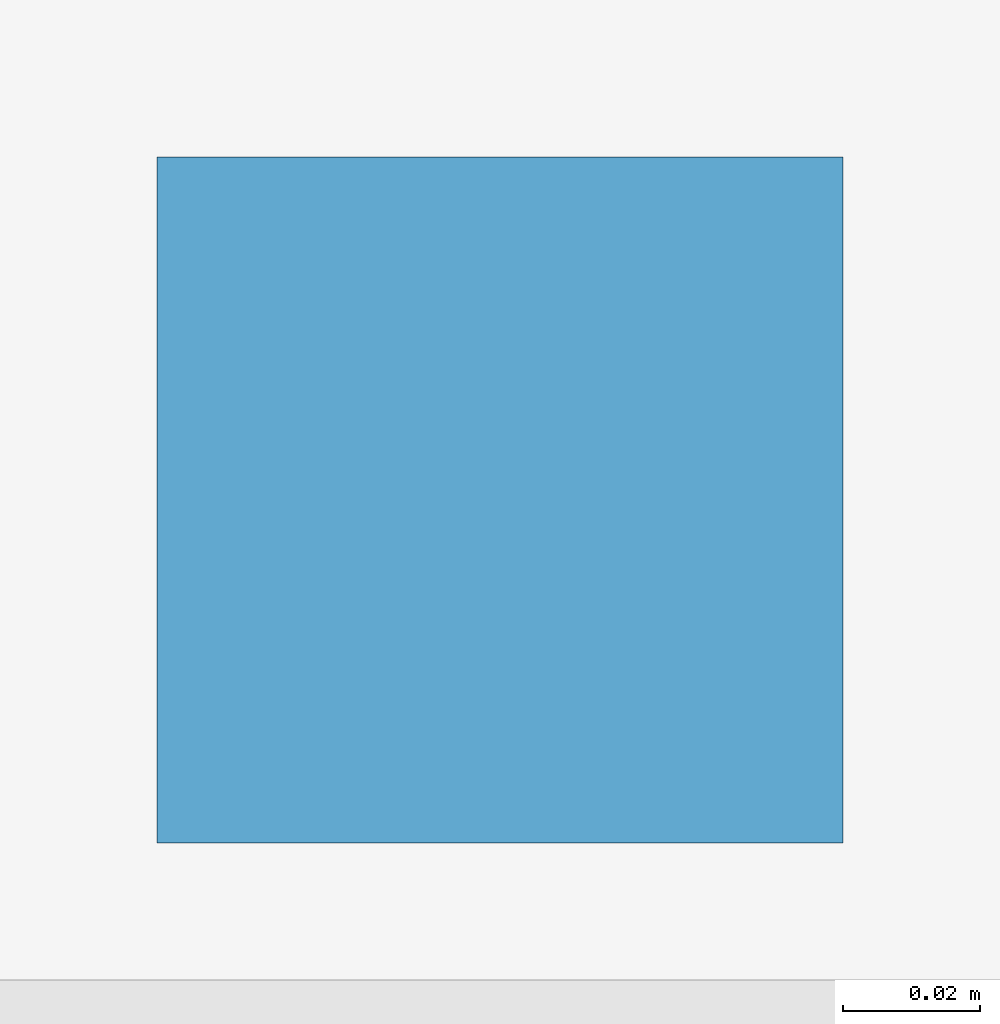
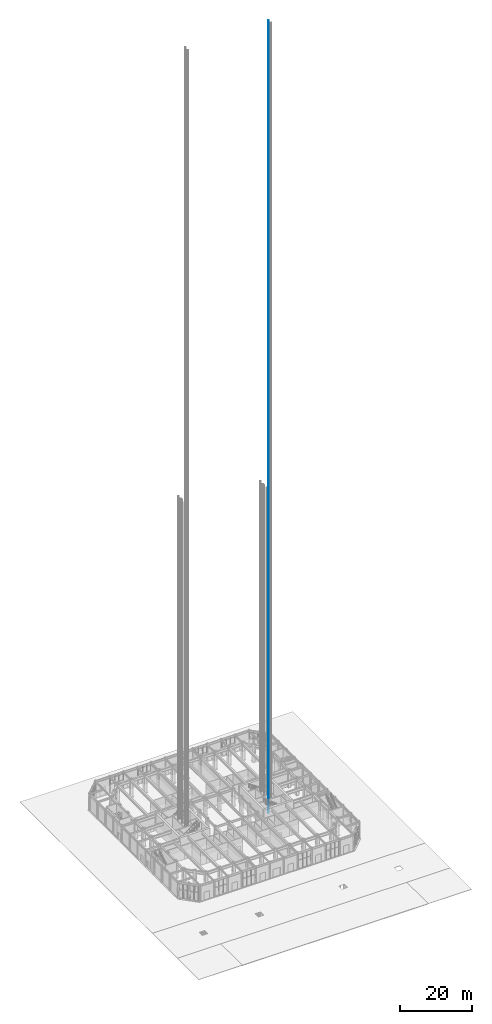
# One storey, part 31 of 39: 1 discrete accessory.
"""IFC4 building model written with IfcOpenShell, lengths in metres."""

import ifcopenshell
import ifcopenshell.guid

model = None  # the IFC model being written
_history = None  # IfcOwnerHistory: only IFC2X3 demands one
_inside = {}  # id of a spatial element -> (the spatial element, [elements in it])
_under = {}  # id of a project, library or spatial element -> (it, [spatial elements below it])
_declared = {}  # id of a project -> (the project, [libraries it declares])
_typed = {}  # id of a type object -> (the type object, [elements of that type])
_made_of = {}  # id of a material, layer set ... -> (it, [elements and type objects made of it])


def new_model(schema):
    """Start an empty IFC model of exactly this schema.

    Asked for "IFC4X3", IfcOpenShell would pick the latest addendum, in which some entities
    have other attributes; the version numbers below select the first issue.
    IFC2X3 requires an IfcOwnerHistory on every rooted entity: one is made here for all.
    """
    global model, _history
    if schema == "IFC4X3":
        model = ifcopenshell.file(schema_version=(4, 3, 0, 0))
    else:
        model = ifcopenshell.file(schema=schema)
    _inside.clear()
    _under.clear()
    _declared.clear()
    _typed.clear()
    _made_of.clear()
    _history = None
    if model.schema == "IFC2X3":
        org = make("IfcOrganization", Name="unknown")
        user = make(
            "IfcPersonAndOrganization",
            ThePerson=make("IfcPerson", FamilyName="unknown"),
            TheOrganization=org,
        )
        app = make(
            "IfcApplication",
            ApplicationDeveloper=org,
            Version="unknown",
            ApplicationFullName="unknown",
            ApplicationIdentifier="unknown",
        )
        _history = make(
            "IfcOwnerHistory",
            OwningUser=user,
            OwningApplication=app,
            ChangeAction="ADDED",
            CreationDate=0,
        )
    return model


def make(cls, **values):
    """One entity of the class cls with the attributes given. An attribute that is None is left unset."""
    return model.create_entity(
        cls, **{name: value for name, value in values.items() if value is not None}
    )


def rooted(cls, **values):
    """An entity with a GlobalId (a new one), such as an element, a storey or a relation."""
    return make(cls, GlobalId=ifcopenshell.guid.new(), OwnerHistory=_history, **values)


def si_unit(unit_type, name, prefix=None):
    """IfcSIUnit, for example si_unit("LENGTHUNIT", "METRE", prefix="MILLI")."""
    return make("IfcSIUnit", UnitType=unit_type, Prefix=prefix, Name=name)


def assignment(units):
    """IfcUnitAssignment: the units of a project."""
    return None if units is None else make("IfcUnitAssignment", Units=units)


def point(xyz):
    """IfcCartesianPoint."""
    return None if xyz is None else make("IfcCartesianPoint", Coordinates=xyz)


def direction(xyz):
    """IfcDirection."""
    return None if xyz is None else make("IfcDirection", DirectionRatios=xyz)


def frame(location, z_axis=None, x_axis=None):
    """IfcAxis2Placement3D, a coordinate frame: its origin and axes. An axis left out is left unset."""
    return make(
        "IfcAxis2Placement3D",
        Location=point(location),
        Axis=direction(z_axis),
        RefDirection=direction(x_axis),
    )


def origin():
    """The frame at (0, 0, 0) with its axes left unset."""
    return frame((0.0, 0.0, 0.0))


def place(relative_to, where):
    """IfcLocalPlacement: puts the frame where relative to a parent placement (None: the world)."""
    return make(
        "IfcLocalPlacement", PlacementRelTo=relative_to, RelativePlacement=where
    )


def context(
    kind, dimensions, precision=None, world=None, true_north=None, identifier=None
):
    """IfcGeometricRepresentationContext, for example the 3D "Model" context."""
    return make(
        "IfcGeometricRepresentationContext",
        ContextIdentifier=identifier,
        ContextType=kind,
        CoordinateSpaceDimension=dimensions,
        Precision=precision,
        WorldCoordinateSystem=world,
        TrueNorth=true_north,
    )


def subcontext(parent, identifier, kind, view, scale=None):
    """IfcGeometricRepresentationSubContext, for example "Body" below "Model"."""
    return make(
        "IfcGeometricRepresentationSubContext",
        ContextIdentifier=identifier,
        ContextType=kind,
        ParentContext=parent,
        TargetScale=scale,
        TargetView=view,
    )


def project(units=None, contexts=None):
    """IfcProject with its units and contexts."""
    return rooted(
        "IfcProject",
        Name="project",
        RepresentationContexts=contexts,
        UnitsInContext=assignment(units),
    )


def spatial(cls, under=None, at=None, **own):
    """A site, building, storey or space (cls), placed at a placement, below another one or the project."""
    s = rooted(cls, ObjectPlacement=at, **own)
    if under is not None:
        _under.setdefault(under.id(), (under, []))[1].append(s)
    return s


def polyline(points):
    """IfcPolyline through the points."""
    return make("IfcPolyline", Points=[point(p) for p in points])


def outline(outer, holes=None, kind="AREA"):
    """IfcArbitraryClosedProfileDef: a profile drawn as a closed curve; with holes, ...WithVoids."""
    if holes is None:
        return make("IfcArbitraryClosedProfileDef", ProfileType=kind, OuterCurve=outer)
    return make(
        "IfcArbitraryProfileDefWithVoids",
        ProfileType=kind,
        OuterCurve=outer,
        InnerCurves=holes,
    )


def extrude(swept, where, along, depth):
    """IfcExtrudedAreaSolid: the profile swept, set in the frame where, extruded along a direction by depth."""
    return make(
        "IfcExtrudedAreaSolid",
        SweptArea=swept,
        Position=where,
        ExtrudedDirection=direction(along),
        Depth=depth,
    )


def shape(context_of_items, identifier, shape_type, items):
    """IfcShapeRepresentation: the items that make up one representation, for example the "Body"."""
    return make(
        "IfcShapeRepresentation",
        ContextOfItems=context_of_items,
        RepresentationIdentifier=identifier,
        RepresentationType=shape_type,
        Items=items,
    )


def made_of(thing, what):
    """Note that an element or type object is made of a material, layer set ...; save() writes the relation."""
    if what is not None:
        _made_of.setdefault(what.id(), (what, []))[1].append(thing)
    return thing


def element(
    cls,
    number,
    at=None,
    inside=None,
    cuts=None,
    type_object=None,
    material=None,
    context=None,
    identifier="Body",
    shape_type=None,
    held_by="IfcProductDefinitionShape",
    body=None,
    shapes=None,
    **own,
):
    """One element of the class cls, such as IfcWall. Its Tag is "e" and its number.

    at: its placement. inside: the storey or other place that contains it. cuts: it is an
    opening in that element (IfcRelVoidsElement). A single representation is given by context,
    identifier, shape_type and body (its items); several are given by shapes. held_by: the class
    of the entity that holds the representations. save() writes the other relations.
    """
    e = rooted(cls, Tag="e%d" % number, ObjectPlacement=at, **own)
    if body is not None:
        shapes = [shape(context, identifier, shape_type, body)]
    if shapes is not None:
        e.Representation = make(held_by, Representations=shapes)
    if inside is not None:
        _inside.setdefault(inside.id(), (inside, []))[1].append(e)
    if cuts is not None:
        rooted(
            "IfcRelVoidsElement", RelatingBuildingElement=cuts, RelatedOpeningElement=e
        )
    if type_object is not None:
        _typed.setdefault(type_object.id(), (type_object, []))[1].append(e)
    return made_of(e, material)


def aggregate(whole, parts):
    """IfcRelAggregates: a whole, such as a stair, and the parts it consists of."""
    return rooted("IfcRelAggregates", RelatingObject=whole, RelatedObjects=parts)


def save(model, path):
    """Write the relations noted so far, then the file.

    IfcRelAggregates (storeys below a building ...), IfcRelContainedInSpatialStructure (elements
    in a storey), IfcRelDefinesByType, IfcRelAssociatesMaterial and IfcRelDeclares: one each for
    every whole, place, type object, material and project.
    """
    for whole, parts in _under.values():
        aggregate(whole, parts)
    for where, things in _inside.values():
        rooted(
            "IfcRelContainedInSpatialStructure",
            RelatedElements=things,
            RelatingStructure=where,
        )
    for kind, things in _typed.values():
        rooted("IfcRelDefinesByType", RelatedObjects=things, RelatingType=kind)
    for what, things in _made_of.values():
        rooted("IfcRelAssociatesMaterial", RelatedObjects=things, RelatingMaterial=what)
    for by, libraries in _declared.values():
        rooted("IfcRelDeclares", RelatingContext=by, RelatedDefinitions=libraries)
    model.write(path)


model = new_model("IFC4")

# Units and contexts
model_context = context("Model", 3, precision=1e-05, world=origin(), true_north=direction((0.0, 1.0)))
body_context = subcontext(model_context, "Body", "Model", "MODEL_VIEW")
ifc_project = project(units=[si_unit("LENGTHUNIT", "METRE"), si_unit("AREAUNIT", "SQUARE_METRE"), si_unit("VOLUMEUNIT", "CUBIC_METRE"), si_unit("PLANEANGLEUNIT", "RADIAN"), si_unit("MASSUNIT", "GRAM", prefix="KILO")], contexts=[model_context])

# Site, building, storey
site_placement = place(None, origin())
site = spatial("IfcSite", under=ifc_project, at=site_placement, CompositionType="ELEMENT")
building_placement = place(site_placement, origin())
building = spatial("IfcBuilding", under=site, at=building_placement, Name="Msasa Ring Tower", CompositionType="ELEMENT")
storey_placement = place(building_placement, origin())
storey = spatial("IfcBuildingStorey", under=building, at=storey_placement, Name="L00", CompositionType="ELEMENT", Elevation=0.0)

# Discrete accessory
discrete_accessory_placement = place(storey_placement, frame((0.0, 0.0, 0.050048828125)))
element("IfcDiscreteAccessory", 1, at=discrete_accessory_placement, inside=storey, Name="Lift guide rail 2 FL-E", ObjectType="LIFT GUIDE RAIL", PredefinedType="USERDEFINED", context=body_context, shape_type="SweptSolid", body=[
    extrude(outline(polyline([(13.324951171875, -1.455078125), (13.425048828125, -1.455078125), (13.425048828125, -1.35498046875), (13.324951171875, -1.35498046875), (13.324951171875, -1.455078125)])), origin(), (0.0, 0.0, 1.0), 270.449951171875),
])

save(model, "model.ifc")
